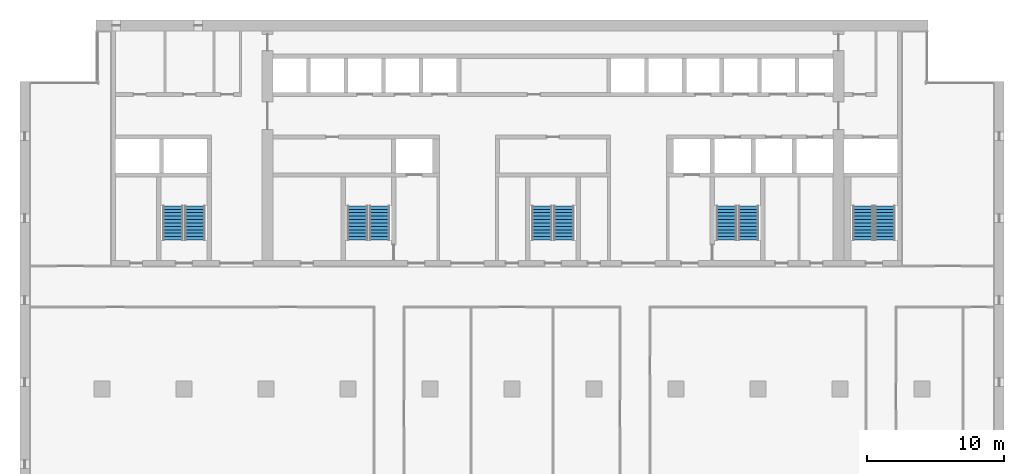
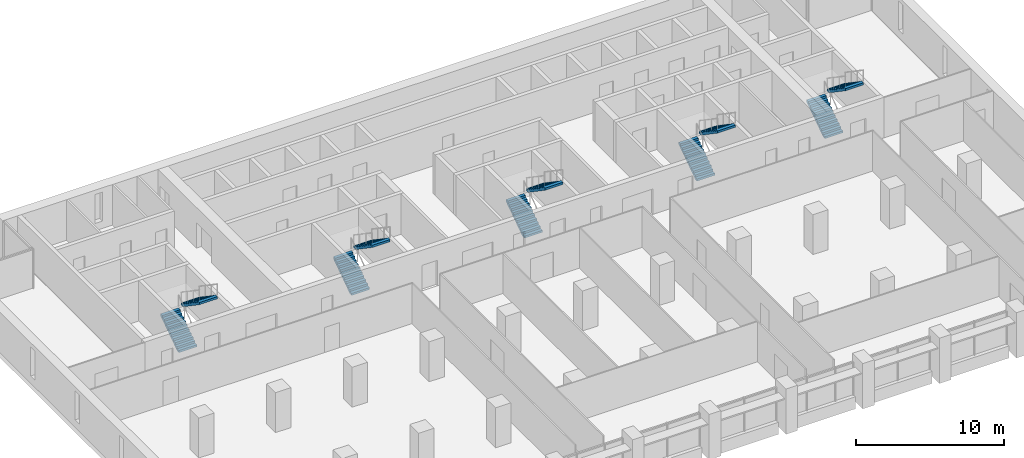
# One storey, part 12 of 15: 10 stair flights, 5 elements without a shape of their own.
"""IFC4 building model written with IfcOpenShell, lengths in metres."""

import ifcopenshell
import ifcopenshell.guid

model = None  # the IFC model being written
_history = None  # IfcOwnerHistory: only IFC2X3 demands one
_inside = {}  # id of a spatial element -> (the spatial element, [elements in it])
_under = {}  # id of a project, library or spatial element -> (it, [spatial elements below it])
_declared = {}  # id of a project -> (the project, [libraries it declares])
_typed = {}  # id of a type object -> (the type object, [elements of that type])
_made_of = {}  # id of a material, layer set ... -> (it, [elements and type objects made of it])


def new_model(schema):
    """Start an empty IFC model of exactly this schema.

    Asked for "IFC4X3", IfcOpenShell would pick the latest addendum, in which some entities
    have other attributes; the version numbers below select the first issue.
    IFC2X3 requires an IfcOwnerHistory on every rooted entity: one is made here for all.
    """
    global model, _history
    if schema == "IFC4X3":
        model = ifcopenshell.file(schema_version=(4, 3, 0, 0))
    else:
        model = ifcopenshell.file(schema=schema)
    _inside.clear()
    _under.clear()
    _declared.clear()
    _typed.clear()
    _made_of.clear()
    _history = None
    if model.schema == "IFC2X3":
        org = make("IfcOrganization", Name="unknown")
        user = make(
            "IfcPersonAndOrganization",
            ThePerson=make("IfcPerson", FamilyName="unknown"),
            TheOrganization=org,
        )
        app = make(
            "IfcApplication",
            ApplicationDeveloper=org,
            Version="unknown",
            ApplicationFullName="unknown",
            ApplicationIdentifier="unknown",
        )
        _history = make(
            "IfcOwnerHistory",
            OwningUser=user,
            OwningApplication=app,
            ChangeAction="ADDED",
            CreationDate=0,
        )
    return model


def make(cls, **values):
    """One entity of the class cls with the attributes given. An attribute that is None is left unset."""
    return model.create_entity(
        cls, **{name: value for name, value in values.items() if value is not None}
    )


def rooted(cls, **values):
    """An entity with a GlobalId (a new one), such as an element, a storey or a relation."""
    return make(cls, GlobalId=ifcopenshell.guid.new(), OwnerHistory=_history, **values)


def si_unit(unit_type, name, prefix=None):
    """IfcSIUnit, for example si_unit("LENGTHUNIT", "METRE", prefix="MILLI")."""
    return make("IfcSIUnit", UnitType=unit_type, Prefix=prefix, Name=name)


def assignment(units):
    """IfcUnitAssignment: the units of a project."""
    return None if units is None else make("IfcUnitAssignment", Units=units)


def point(xyz):
    """IfcCartesianPoint."""
    return None if xyz is None else make("IfcCartesianPoint", Coordinates=xyz)


def direction(xyz):
    """IfcDirection."""
    return None if xyz is None else make("IfcDirection", DirectionRatios=xyz)


def frame(location, z_axis=None, x_axis=None):
    """IfcAxis2Placement3D, a coordinate frame: its origin and axes. An axis left out is left unset."""
    return make(
        "IfcAxis2Placement3D",
        Location=point(location),
        Axis=direction(z_axis),
        RefDirection=direction(x_axis),
    )


def origin():
    """The frame at (0, 0, 0) with its axes left unset."""
    return frame((0.0, 0.0, 0.0))


def place(relative_to, where):
    """IfcLocalPlacement: puts the frame where relative to a parent placement (None: the world)."""
    return make(
        "IfcLocalPlacement", PlacementRelTo=relative_to, RelativePlacement=where
    )


def context(
    kind, dimensions, precision=None, world=None, true_north=None, identifier=None
):
    """IfcGeometricRepresentationContext, for example the 3D "Model" context."""
    return make(
        "IfcGeometricRepresentationContext",
        ContextIdentifier=identifier,
        ContextType=kind,
        CoordinateSpaceDimension=dimensions,
        Precision=precision,
        WorldCoordinateSystem=world,
        TrueNorth=true_north,
    )


def subcontext(parent, identifier, kind, view, scale=None):
    """IfcGeometricRepresentationSubContext, for example "Body" below "Model"."""
    return make(
        "IfcGeometricRepresentationSubContext",
        ContextIdentifier=identifier,
        ContextType=kind,
        ParentContext=parent,
        TargetScale=scale,
        TargetView=view,
    )


def project(units=None, contexts=None):
    """IfcProject with its units and contexts."""
    return rooted(
        "IfcProject",
        Name="project",
        RepresentationContexts=contexts,
        UnitsInContext=assignment(units),
    )


def spatial(cls, under=None, at=None, **own):
    """A site, building, storey or space (cls), placed at a placement, below another one or the project."""
    s = rooted(cls, ObjectPlacement=at, **own)
    if under is not None:
        _under.setdefault(under.id(), (under, []))[1].append(s)
    return s


def polyline(points):
    """IfcPolyline through the points."""
    return make("IfcPolyline", Points=[point(p) for p in points])


def outline(outer, holes=None, kind="AREA"):
    """IfcArbitraryClosedProfileDef: a profile drawn as a closed curve; with holes, ...WithVoids."""
    if holes is None:
        return make("IfcArbitraryClosedProfileDef", ProfileType=kind, OuterCurve=outer)
    return make(
        "IfcArbitraryProfileDefWithVoids",
        ProfileType=kind,
        OuterCurve=outer,
        InnerCurves=holes,
    )


def extrude(swept, where, along, depth):
    """IfcExtrudedAreaSolid: the profile swept, set in the frame where, extruded along a direction by depth."""
    return make(
        "IfcExtrudedAreaSolid",
        SweptArea=swept,
        Position=where,
        ExtrudedDirection=direction(along),
        Depth=depth,
    )


def shape(context_of_items, identifier, shape_type, items):
    """IfcShapeRepresentation: the items that make up one representation, for example the "Body"."""
    return make(
        "IfcShapeRepresentation",
        ContextOfItems=context_of_items,
        RepresentationIdentifier=identifier,
        RepresentationType=shape_type,
        Items=items,
    )


def material(Name=None, Category=None):
    """IfcMaterial."""
    return make("IfcMaterial", Name=Name, Category=Category)


def made_of(thing, what):
    """Note that an element or type object is made of a material, layer set ...; save() writes the relation."""
    if what is not None:
        _made_of.setdefault(what.id(), (what, []))[1].append(thing)
    return thing


def type_object(cls, material=None, **own):
    """A type object (cls), such as IfcWallType, which elements share."""
    return made_of(rooted(cls, **own), material)


def element(
    cls,
    number,
    at=None,
    inside=None,
    cuts=None,
    type_object=None,
    material=None,
    context=None,
    identifier="Body",
    shape_type=None,
    held_by="IfcProductDefinitionShape",
    body=None,
    shapes=None,
    **own,
):
    """One element of the class cls, such as IfcWall. Its Tag is "e" and its number.

    at: its placement. inside: the storey or other place that contains it. cuts: it is an
    opening in that element (IfcRelVoidsElement). A single representation is given by context,
    identifier, shape_type and body (its items); several are given by shapes. held_by: the class
    of the entity that holds the representations. save() writes the other relations.
    """
    e = rooted(cls, Tag="e%d" % number, ObjectPlacement=at, **own)
    if body is not None:
        shapes = [shape(context, identifier, shape_type, body)]
    if shapes is not None:
        e.Representation = make(held_by, Representations=shapes)
    if inside is not None:
        _inside.setdefault(inside.id(), (inside, []))[1].append(e)
    if cuts is not None:
        rooted(
            "IfcRelVoidsElement", RelatingBuildingElement=cuts, RelatedOpeningElement=e
        )
    if type_object is not None:
        _typed.setdefault(type_object.id(), (type_object, []))[1].append(e)
    return made_of(e, material)


def aggregate(whole, parts):
    """IfcRelAggregates: a whole, such as a stair, and the parts it consists of."""
    return rooted("IfcRelAggregates", RelatingObject=whole, RelatedObjects=parts)


def save(model, path):
    """Write the relations noted so far, then the file.

    IfcRelAggregates (storeys below a building ...), IfcRelContainedInSpatialStructure (elements
    in a storey), IfcRelDefinesByType, IfcRelAssociatesMaterial and IfcRelDeclares: one each for
    every whole, place, type object, material and project.
    """
    for whole, parts in _under.values():
        aggregate(whole, parts)
    for where, things in _inside.values():
        rooted(
            "IfcRelContainedInSpatialStructure",
            RelatedElements=things,
            RelatingStructure=where,
        )
    for kind, things in _typed.values():
        rooted("IfcRelDefinesByType", RelatedObjects=things, RelatingType=kind)
    for what, things in _made_of.values():
        rooted("IfcRelAssociatesMaterial", RelatedObjects=things, RelatingMaterial=what)
    for by, libraries in _declared.values():
        rooted("IfcRelDeclares", RelatingContext=by, RelatedDefinitions=libraries)
    model.write(path)


model = new_model("IFC4")

# Units and contexts
model_context = context("Model", 3, precision=1e-05, world=origin(), true_north=direction((0.0, 1.0)))
body_context = subcontext(model_context, "Body", "Model", "MODEL_VIEW")
ifc_project = project(units=[si_unit("LENGTHUNIT", "METRE"), si_unit("AREAUNIT", "SQUARE_METRE"), si_unit("VOLUMEUNIT", "CUBIC_METRE"), si_unit("PLANEANGLEUNIT", "RADIAN"), si_unit("MASSUNIT", "GRAM", prefix="KILO")], contexts=[model_context])

# Site, building, storey
site_placement = place(None, origin())
site = spatial("IfcSite", under=ifc_project, at=site_placement, CompositionType="ELEMENT")
building_placement = place(site_placement, origin())
building = spatial("IfcBuilding", under=site, at=building_placement, Name="Calvaro Tower", CompositionType="ELEMENT")
storey_placement = place(building_placement, frame((0.0, 0.0, 151.25)))
storey = spatial("IfcBuildingStorey", under=building, at=storey_placement, Name="L38", CompositionType="ELEMENT", Elevation=151.25)

# Stair, stair flights
ifc_material_1 = material(Name="Concrete C40/50", Category="concrete")
stair_type = type_object("IfcStairType", Name="Exit stair 1400 2 flights", PredefinedType="HALF_TURN_STAIR", material=ifc_material_1)
stair_1_placement = place(storey_placement, origin())
stair_1 = element("IfcStair", 1, at=stair_1_placement, inside=storey, type_object=stair_type, Name="Exit stair S1", PredefinedType="HALF_TURN_STAIR")
ifc_material_2 = material(Name="Concrete C40/50", Category="concrete")
stair_flight_type = type_object("IfcStairFlightType", Name="Stair flight", PredefinedType="STRAIGHT", material=ifc_material_2)
stair_flight_1_placement = place(storey_placement, frame((11.199951171875, 29.89990234375, 0.0), z_axis=(0.0, 0.0, 1.0), x_axis=(0.0, 1.0, 0.0)))
stair_flight_1 = element("IfcStairFlight", 2, at=stair_flight_1_placement, type_object=stair_flight_type, Name="Exit stair 1, flight 1", NumberOfRisers=11, NumberOfTreads=10, PredefinedType="STRAIGHT", RiserHeight=0.170454545, TreadLength=0.25, context=body_context, shape_type="SweptSolid", body=[
    extrude(outline(polyline([(0.0, 0.0), (0.0, 0.17041015625), (0.25, 0.17041015625), (0.25, 0.3408203125), (0.5, 0.3408203125), (0.5, 0.511474609375), (0.75, 0.511474609375), (0.75, 0.681884765625), (1.0, 0.681884765625), (1.0, 0.852294921875), (1.25, 0.852294921875), (1.25, 1.022705078125), (1.5, 1.022705078125), (1.5, 1.193115234375), (1.75, 1.193115234375), (1.75, 1.363525390625), (2.0, 1.363525390625), (2.0, 1.5341796875), (2.25, 1.5341796875), (2.25, 1.70458984375), (2.5, 1.70458984375), (2.5, 1.875), (2.5, 1.523193359375), (0.26611328125, 0.0), (0.0, 0.0)])), frame((0.0, 0.699951171875, 0.0), z_axis=(0.0, -1.0, 0.0), x_axis=(1.0, 0.0, 0.0)), (0.0, 0.0, 1.0), 1.39990234375),
])
stair_flight_2_placement = place(storey_placement, frame((12.800048828125, 32.39990234375, 1.875), z_axis=(0.0, 0.0, 1.0), x_axis=(0.0, -1.0, 0.0)))
stair_flight_2 = element("IfcStairFlight", 3, at=stair_flight_2_placement, type_object=stair_flight_type, Name="Exit stair 1, flight 2", NumberOfRisers=11, NumberOfTreads=10, PredefinedType="STRAIGHT", RiserHeight=0.170454545, TreadLength=0.25, context=body_context, shape_type="SweptSolid", body=[
    extrude(outline(polyline([(0.0, 0.0), (0.0, 0.17041015625), (0.25, 0.17041015625), (0.25, 0.3408203125), (0.5, 0.3408203125), (0.5, 0.511474609375), (0.75, 0.511474609375), (0.75, 0.681884765625), (1.0, 0.681884765625), (1.0, 0.852294921875), (1.25, 0.852294921875), (1.25, 1.022705078125), (1.5, 1.022705078125), (1.5, 1.193115234375), (1.75, 1.193115234375), (1.75, 1.363525390625), (2.0, 1.363525390625), (2.0, 1.5341796875), (2.25, 1.5341796875), (2.25, 1.70458984375), (2.5, 1.70458984375), (2.5, 1.875), (2.5, 1.523193359375), (0.26611328125, 0.0), (0.0, 0.0)])), frame((0.0, 0.699951171875, 0.0), z_axis=(0.0, -1.0, 0.0), x_axis=(1.0, 0.0, 0.0)), (0.0, 0.0, 1.0), 1.39990234375),
])
aggregate(stair_1, [stair_flight_1, stair_flight_2])

stair_2_placement = place(storey_placement, origin())
stair_2 = element("IfcStair", 4, at=stair_2_placement, inside=storey, type_object=stair_type, Name="Exit stair S2", PredefinedType="HALF_TURN_STAIR")
stair_flight_3_placement = place(storey_placement, frame((24.699951171875, 29.89990234375, 0.0), z_axis=(0.0, 0.0, 1.0), x_axis=(0.0, 1.0, 0.0)))
stair_flight_3 = element("IfcStairFlight", 5, at=stair_flight_3_placement, type_object=stair_flight_type, Name="Exit stair 2, flight 1", NumberOfRisers=11, NumberOfTreads=10, PredefinedType="STRAIGHT", RiserHeight=0.170454545, TreadLength=0.25, context=body_context, shape_type="SweptSolid", body=[
    extrude(outline(polyline([(0.0, 0.0), (0.0, 0.17041015625), (0.25, 0.17041015625), (0.25, 0.3408203125), (0.5, 0.3408203125), (0.5, 0.511474609375), (0.75, 0.511474609375), (0.75, 0.681884765625), (1.0, 0.681884765625), (1.0, 0.852294921875), (1.25, 0.852294921875), (1.25, 1.022705078125), (1.5, 1.022705078125), (1.5, 1.193115234375), (1.75, 1.193115234375), (1.75, 1.363525390625), (2.0, 1.363525390625), (2.0, 1.5341796875), (2.25, 1.5341796875), (2.25, 1.70458984375), (2.5, 1.70458984375), (2.5, 1.875), (2.5, 1.523193359375), (0.26611328125, 0.0), (0.0, 0.0)])), frame((0.0, 0.699951171875, 0.0), z_axis=(0.0, -1.0, 0.0), x_axis=(1.0, 0.0, 0.0)), (0.0, 0.0, 1.0), 1.39990234375),
])
stair_flight_4_placement = place(storey_placement, frame((26.300048828125, 32.39990234375, 1.875), z_axis=(0.0, 0.0, 1.0), x_axis=(0.0, -1.0, 0.0)))
stair_flight_4 = element("IfcStairFlight", 6, at=stair_flight_4_placement, type_object=stair_flight_type, Name="Exit stair 2, flight 2", NumberOfRisers=11, NumberOfTreads=10, PredefinedType="STRAIGHT", RiserHeight=0.170454545, TreadLength=0.25, context=body_context, shape_type="SweptSolid", body=[
    extrude(outline(polyline([(0.0, 0.0), (0.0, 0.17041015625), (0.25, 0.17041015625), (0.25, 0.3408203125), (0.5, 0.3408203125), (0.5, 0.511474609375), (0.75, 0.511474609375), (0.75, 0.681884765625), (1.0, 0.681884765625), (1.0, 0.852294921875), (1.25, 0.852294921875), (1.25, 1.022705078125), (1.5, 1.022705078125), (1.5, 1.193115234375), (1.75, 1.193115234375), (1.75, 1.363525390625), (2.0, 1.363525390625), (2.0, 1.5341796875), (2.25, 1.5341796875), (2.25, 1.70458984375), (2.5, 1.70458984375), (2.5, 1.875), (2.5, 1.523193359375), (0.26611328125, 0.0), (0.0, 0.0)])), frame((0.0, 0.699951171875, 0.0), z_axis=(0.0, -1.0, 0.0), x_axis=(1.0, 0.0, 0.0)), (0.0, 0.0, 1.0), 1.39990234375),
])
aggregate(stair_2, [stair_flight_3, stair_flight_4])

stair_3_placement = place(storey_placement, origin())
stair_3 = element("IfcStair", 7, at=stair_3_placement, inside=storey, type_object=stair_type, Name="Exit stair S3", PredefinedType="HALF_TURN_STAIR")
stair_flight_5_placement = place(storey_placement, frame((38.199951171875, 29.89990234375, 0.0), z_axis=(0.0, 0.0, 1.0), x_axis=(0.0, 1.0, 0.0)))
stair_flight_5 = element("IfcStairFlight", 8, at=stair_flight_5_placement, type_object=stair_flight_type, Name="Exit stair 3, flight 1", NumberOfRisers=11, NumberOfTreads=10, PredefinedType="STRAIGHT", RiserHeight=0.170454545, TreadLength=0.25, context=body_context, shape_type="SweptSolid", body=[
    extrude(outline(polyline([(0.0, 0.0), (0.0, 0.17041015625), (0.25, 0.17041015625), (0.25, 0.3408203125), (0.5, 0.3408203125), (0.5, 0.511474609375), (0.75, 0.511474609375), (0.75, 0.681884765625), (1.0, 0.681884765625), (1.0, 0.852294921875), (1.25, 0.852294921875), (1.25, 1.022705078125), (1.5, 1.022705078125), (1.5, 1.193115234375), (1.75, 1.193115234375), (1.75, 1.363525390625), (2.0, 1.363525390625), (2.0, 1.5341796875), (2.25, 1.5341796875), (2.25, 1.70458984375), (2.5, 1.70458984375), (2.5, 1.875), (2.5, 1.523193359375), (0.26611328125, 0.0), (0.0, 0.0)])), frame((0.0, 0.699951171875, 0.0), z_axis=(0.0, -1.0, 0.0), x_axis=(1.0, 0.0, 0.0)), (0.0, 0.0, 1.0), 1.39990234375),
])
stair_flight_6_placement = place(storey_placement, frame((39.800048828125, 32.39990234375, 1.875), z_axis=(0.0, 0.0, 1.0), x_axis=(0.0, -1.0, 0.0)))
stair_flight_6 = element("IfcStairFlight", 9, at=stair_flight_6_placement, type_object=stair_flight_type, Name="Exit stair 3, flight 2", NumberOfRisers=11, NumberOfTreads=10, PredefinedType="STRAIGHT", RiserHeight=0.170454545, TreadLength=0.25, context=body_context, shape_type="SweptSolid", body=[
    extrude(outline(polyline([(0.0, 0.0), (0.0, 0.17041015625), (0.25, 0.17041015625), (0.25, 0.3408203125), (0.5, 0.3408203125), (0.5, 0.511474609375), (0.75, 0.511474609375), (0.75, 0.681884765625), (1.0, 0.681884765625), (1.0, 0.852294921875), (1.25, 0.852294921875), (1.25, 1.022705078125), (1.5, 1.022705078125), (1.5, 1.193115234375), (1.75, 1.193115234375), (1.75, 1.363525390625), (2.0, 1.363525390625), (2.0, 1.5341796875), (2.25, 1.5341796875), (2.25, 1.70458984375), (2.5, 1.70458984375), (2.5, 1.875), (2.5, 1.523193359375), (0.26611328125, 0.0), (0.0, 0.0)])), frame((0.0, 0.699951171875, 0.0), z_axis=(0.0, -1.0, 0.0), x_axis=(1.0, 0.0, 0.0)), (0.0, 0.0, 1.0), 1.39990234375),
])
aggregate(stair_3, [stair_flight_5, stair_flight_6])

stair_4_placement = place(storey_placement, origin())
stair_4 = element("IfcStair", 10, at=stair_4_placement, inside=storey, type_object=stair_type, Name="Exit stair S4", PredefinedType="HALF_TURN_STAIR")
stair_flight_7_placement = place(storey_placement, frame((51.699951171875, 29.89990234375, 0.0), z_axis=(0.0, 0.0, 1.0), x_axis=(0.0, 1.0, 0.0)))
stair_flight_7 = element("IfcStairFlight", 11, at=stair_flight_7_placement, type_object=stair_flight_type, Name="Exit stair 4, flight 1", NumberOfRisers=11, NumberOfTreads=10, PredefinedType="STRAIGHT", RiserHeight=0.170454545, TreadLength=0.25, context=body_context, shape_type="SweptSolid", body=[
    extrude(outline(polyline([(0.0, 0.0), (0.0, 0.17041015625), (0.25, 0.17041015625), (0.25, 0.3408203125), (0.5, 0.3408203125), (0.5, 0.511474609375), (0.75, 0.511474609375), (0.75, 0.681884765625), (1.0, 0.681884765625), (1.0, 0.852294921875), (1.25, 0.852294921875), (1.25, 1.022705078125), (1.5, 1.022705078125), (1.5, 1.193115234375), (1.75, 1.193115234375), (1.75, 1.363525390625), (2.0, 1.363525390625), (2.0, 1.5341796875), (2.25, 1.5341796875), (2.25, 1.70458984375), (2.5, 1.70458984375), (2.5, 1.875), (2.5, 1.523193359375), (0.26611328125, 0.0), (0.0, 0.0)])), frame((0.0, 0.699951171875, 0.0), z_axis=(0.0, -1.0, 0.0), x_axis=(1.0, 0.0, 0.0)), (0.0, 0.0, 1.0), 1.39990234375),
])
stair_flight_8_placement = place(storey_placement, frame((53.300048828125, 32.39990234375, 1.875), z_axis=(0.0, 0.0, 1.0), x_axis=(0.0, -1.0, 0.0)))
stair_flight_8 = element("IfcStairFlight", 12, at=stair_flight_8_placement, type_object=stair_flight_type, Name="Exit stair 4, flight 2", NumberOfRisers=11, NumberOfTreads=10, PredefinedType="STRAIGHT", RiserHeight=0.170454545, TreadLength=0.25, context=body_context, shape_type="SweptSolid", body=[
    extrude(outline(polyline([(0.0, 0.0), (0.0, 0.17041015625), (0.25, 0.17041015625), (0.25, 0.3408203125), (0.5, 0.3408203125), (0.5, 0.511474609375), (0.75, 0.511474609375), (0.75, 0.681884765625), (1.0, 0.681884765625), (1.0, 0.852294921875), (1.25, 0.852294921875), (1.25, 1.022705078125), (1.5, 1.022705078125), (1.5, 1.193115234375), (1.75, 1.193115234375), (1.75, 1.363525390625), (2.0, 1.363525390625), (2.0, 1.5341796875), (2.25, 1.5341796875), (2.25, 1.70458984375), (2.5, 1.70458984375), (2.5, 1.875), (2.5, 1.523193359375), (0.26611328125, 0.0), (0.0, 0.0)])), frame((0.0, 0.699951171875, 0.0), z_axis=(0.0, -1.0, 0.0), x_axis=(1.0, 0.0, 0.0)), (0.0, 0.0, 1.0), 1.39990234375),
])
aggregate(stair_4, [stair_flight_7, stair_flight_8])

stair_5_placement = place(storey_placement, origin())
stair_5 = element("IfcStair", 13, at=stair_5_placement, inside=storey, type_object=stair_type, Name="Exit stair S5", PredefinedType="HALF_TURN_STAIR")
stair_flight_9_placement = place(storey_placement, frame((61.699951171875, 29.89990234375, 0.0), z_axis=(0.0, 0.0, 1.0), x_axis=(0.0, 1.0, 0.0)))
stair_flight_9 = element("IfcStairFlight", 14, at=stair_flight_9_placement, type_object=stair_flight_type, Name="Exit stair 5, flight 1", NumberOfRisers=11, NumberOfTreads=10, PredefinedType="STRAIGHT", RiserHeight=0.170454545, TreadLength=0.25, context=body_context, shape_type="SweptSolid", body=[
    extrude(outline(polyline([(0.0, 0.0), (0.0, 0.17041015625), (0.25, 0.17041015625), (0.25, 0.3408203125), (0.5, 0.3408203125), (0.5, 0.511474609375), (0.75, 0.511474609375), (0.75, 0.681884765625), (1.0, 0.681884765625), (1.0, 0.852294921875), (1.25, 0.852294921875), (1.25, 1.022705078125), (1.5, 1.022705078125), (1.5, 1.193115234375), (1.75, 1.193115234375), (1.75, 1.363525390625), (2.0, 1.363525390625), (2.0, 1.5341796875), (2.25, 1.5341796875), (2.25, 1.70458984375), (2.5, 1.70458984375), (2.5, 1.875), (2.5, 1.523193359375), (0.26611328125, 0.0), (0.0, 0.0)])), frame((0.0, 0.699951171875, 0.0), z_axis=(0.0, -1.0, 0.0), x_axis=(1.0, 0.0, 0.0)), (0.0, 0.0, 1.0), 1.39990234375),
])
stair_flight_10_placement = place(storey_placement, frame((63.300048828125, 32.39990234375, 1.875), z_axis=(0.0, 0.0, 1.0), x_axis=(0.0, -1.0, 0.0)))
stair_flight_10 = element("IfcStairFlight", 15, at=stair_flight_10_placement, type_object=stair_flight_type, Name="Exit stair 5, flight 2", NumberOfRisers=11, NumberOfTreads=10, PredefinedType="STRAIGHT", RiserHeight=0.170454545, TreadLength=0.25, context=body_context, shape_type="SweptSolid", body=[
    extrude(outline(polyline([(0.0, 0.0), (0.0, 0.17041015625), (0.25, 0.17041015625), (0.25, 0.3408203125), (0.5, 0.3408203125), (0.5, 0.511474609375), (0.75, 0.511474609375), (0.75, 0.681884765625), (1.0, 0.681884765625), (1.0, 0.852294921875), (1.25, 0.852294921875), (1.25, 1.022705078125), (1.5, 1.022705078125), (1.5, 1.193115234375), (1.75, 1.193115234375), (1.75, 1.363525390625), (2.0, 1.363525390625), (2.0, 1.5341796875), (2.25, 1.5341796875), (2.25, 1.70458984375), (2.5, 1.70458984375), (2.5, 1.875), (2.5, 1.523193359375), (0.26611328125, 0.0), (0.0, 0.0)])), frame((0.0, 0.699951171875, 0.0), z_axis=(0.0, -1.0, 0.0), x_axis=(1.0, 0.0, 0.0)), (0.0, 0.0, 1.0), 1.39990234375),
])
aggregate(stair_5, [stair_flight_9, stair_flight_10])

save(model, "model.ifc")
